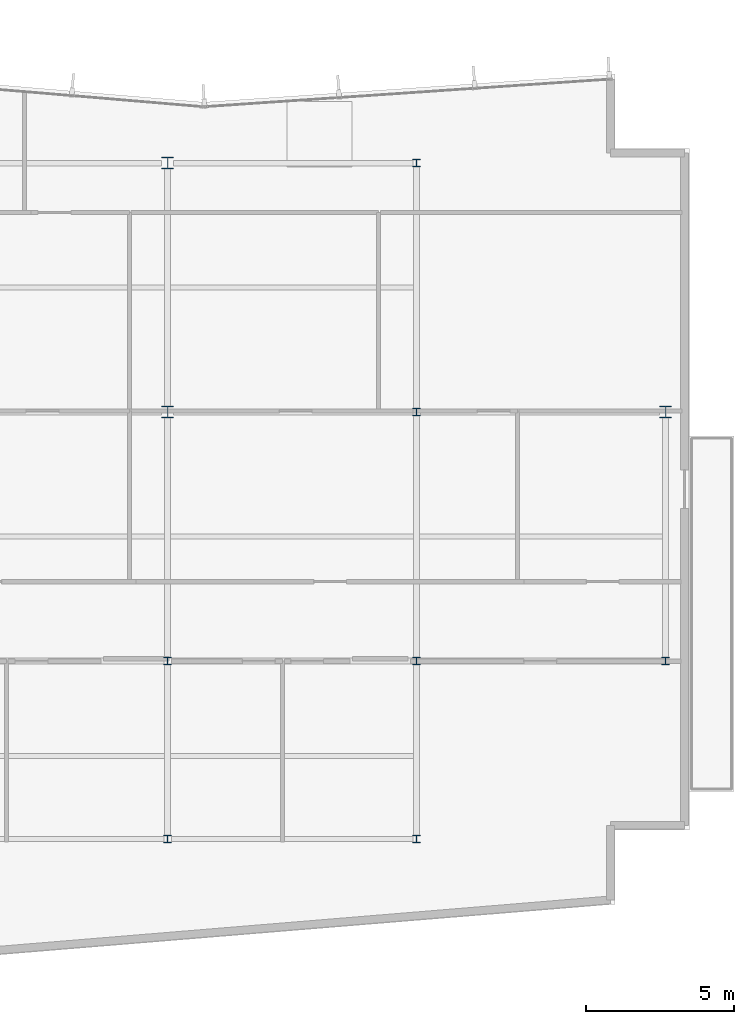
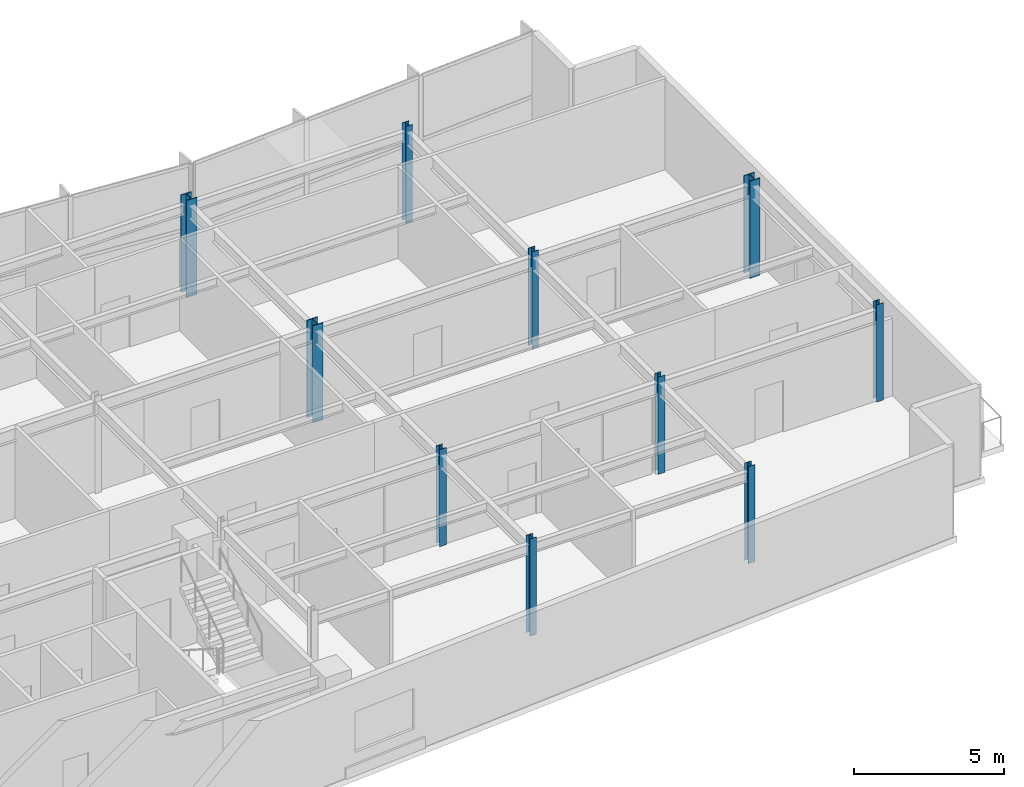
# One storey, part 2 of 14: 10 columns.
"""IFC4 building model written with IfcOpenShell, lengths in metres."""

from ifc_helpers import new_model, si_unit, direction, frame, origin, origin_2d, place, context, subcontext, project, spatial, i_section, extrude, material, material_profile, profile_set, type_object, element, save


model = new_model("IFC4")

# Units and contexts
model_context = context("Model", 3, precision=1e-05, world=origin(), true_north=direction((0.0, 1.0)))
body_context = subcontext(model_context, "Body", "Model", "MODEL_VIEW")
ifc_project = project(units=[si_unit("LENGTHUNIT", "METRE"), si_unit("AREAUNIT", "SQUARE_METRE"), si_unit("VOLUMEUNIT", "CUBIC_METRE"), si_unit("PLANEANGLEUNIT", "RADIAN"), si_unit("MASSUNIT", "GRAM", prefix="KILO")], contexts=[model_context])

# Site, building, storey
site_placement = place(None, origin())
site = spatial("IfcSite", under=ifc_project, at=site_placement, CompositionType="ELEMENT")
building_placement = place(site_placement, origin())
building = spatial("IfcBuilding", under=site, at=building_placement, Name="Varnakote Quay Hospital", CompositionType="ELEMENT")
storey_placement = place(building_placement, frame((0.0, 0.0, 211.85009765625)))
storey = spatial("IfcBuildingStorey", under=building, at=storey_placement, Name="L52", CompositionType="ELEMENT", Elevation=211.85009765625)

# Columns
ifc_material_1 = material(Name="Structural steel AS/NZS 3679.1 Grade 350 L0 (fy 340 MPa)", Category="steel")
ifc_material_profile_1 = material_profile(ifc_material_1, i_section(OverallWidth=0.256103515625, OverallDepth=0.260009765625, WebThickness=0.010498046875, FlangeThickness=0.017333984375, FilletRadius=0.0126953125, at=origin_2d()), Name="250UC89.5")
ifc_profile_set_1 = profile_set([ifc_material_profile_1], Name="Structural steel AS/NZS 3679.1 Grade 350 L0 (fy 340 MPa)")
column_type_1 = type_object("IfcColumnType", Name="COL-STL-250UC89-5", PredefinedType="COLUMN", material=ifc_profile_set_1)
for number, where, z_axis, x_axis, name in (
    (1, (33.60009765625, 6.0, 0.0), (0.0, 0.0, 1.0), (1.0, 0.0, 0.0), "L52 Structural Column C-34-6"),
    (2, (42.0, 6.0, 0.0), (0.0, 0.0, 1.0), (1.0, 0.0, 0.0), "L52 Structural Column C-42-6"),
    (3, (33.60009765625, 12.0, 0.0), (0.0, 0.0, 1.0), (1.0, 0.0, 0.0), "L52 Structural Column C-34-12"),
    (4, (42.0, 12.0, 0.0), (0.0, 0.0, 1.0), (1.0, 0.0, 0.0), "L52 Structural Column C-42-12"),
    (5, (50.39990234375, 12.0, 0.0), (0.0, 0.0, 1.0), (1.0, 0.0, 0.0), "L52 Structural Column C-50-12"),
    (6, (42.0, 20.39990234375, 0.0), (0.0, 0.0, 1.0), (1.0, 0.0, 0.0), "L52 Structural Column C-42-20"),
    (7, (42.0, 28.800048828125, 0.0), (0.0, 0.0, 1.0), (1.0, 0.0, 0.0), "L52 Structural Column C-42-29"),
):
    element("IfcColumn", number, at=place(storey_placement, frame(where, z_axis=z_axis, x_axis=x_axis)), inside=storey, type_object=column_type_1, Name=name, PredefinedType="COLUMN", context=body_context, shape_type="SweptSolid", body=[
        extrude(i_section(OverallWidth=0.256103515625, OverallDepth=0.260009765625, WebThickness=0.010498046875, FlangeThickness=0.017333984375, FilletRadius=0.0126953125, at=origin_2d()), origin(), (0.0, 0.0, 1.0), 3.949951171875),
    ])
ifc_material_2 = material(Name="Structural steel AS/NZS 3678 Grade 350 (fy 340 MPa)", Category="steel")
ifc_material_profile_2 = material_profile(ifc_material_2, i_section(OverallWidth=0.39990234375, OverallDepth=0.404052734375, WebThickness=0.02001953125, FlangeThickness=0.031982421875, at=origin_2d()), Name="400WC270")
ifc_profile_set_2 = profile_set([ifc_material_profile_2], Name="Structural steel AS/NZS 3678 Grade 350 (fy 340 MPa)")
column_type_2 = type_object("IfcColumnType", Name="COL-STL-400WC270", PredefinedType="COLUMN", material=ifc_profile_set_2)
for number, where, z_axis, x_axis, name in (
    (8, (33.60009765625, 20.39990234375, 0.0), (0.0, 0.0, 1.0), (1.0, 0.0, 0.0), "L52 Structural Column C-34-20"),
    (9, (50.39990234375, 20.39990234375, 0.0), (0.0, 0.0, 1.0), (1.0, 0.0, 0.0), "L52 Structural Column C-50-20"),
    (10, (33.60009765625, 28.800048828125, 0.0), (0.0, 0.0, 1.0), (1.0, 0.0, 0.0), "L52 Structural Column C-34-29"),
):
    element("IfcColumn", number, at=place(storey_placement, frame(where, z_axis=z_axis, x_axis=x_axis)), inside=storey, type_object=column_type_2, Name=name, PredefinedType="COLUMN", context=body_context, shape_type="SweptSolid", body=[
        extrude(i_section(OverallWidth=0.39990234375, OverallDepth=0.404052734375, WebThickness=0.02001953125, FlangeThickness=0.031982421875, at=origin_2d()), origin(), (0.0, 0.0, 1.0), 3.949951171875),
    ])

save(model, "model.ifc")
